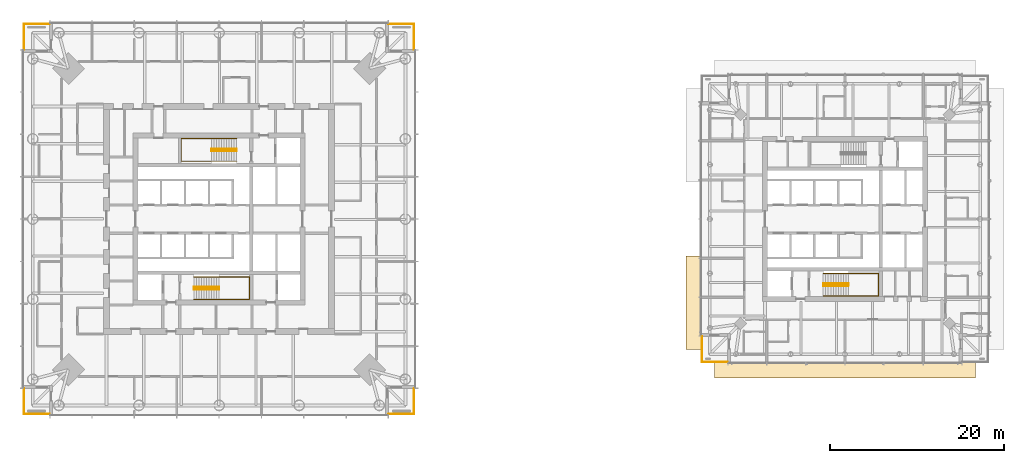
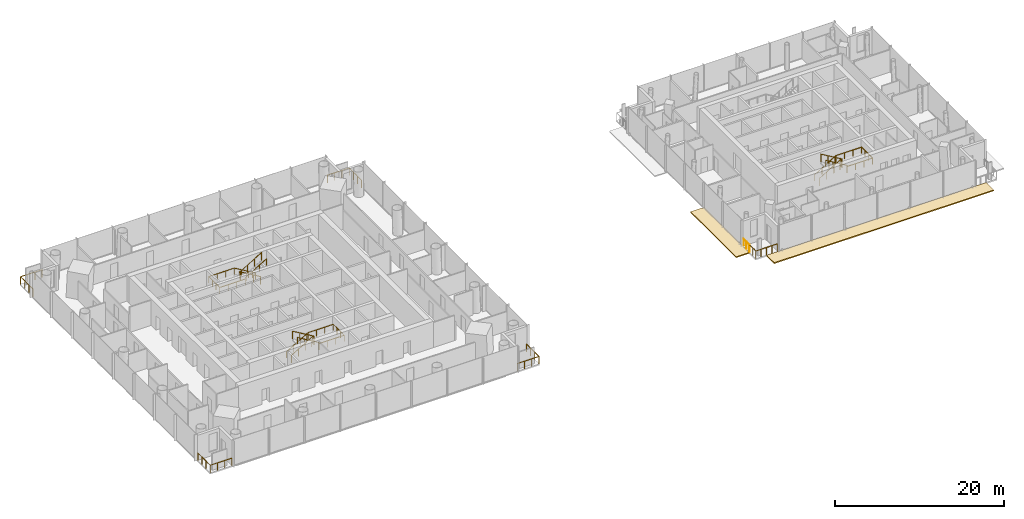
# One storey, part 19 of 20: 13 railings, 2 coverings.
"""IFC4 building model written with IfcOpenShell, lengths in metres."""

from ifc_helpers import new_model, si_unit, direction, frame, origin, origin_2d, place, context, subcontext, project, spatial, polyline, circle, outline, extrude, material, layer, layer_set, type_object, element, save


model = new_model("IFC4")

# Units and contexts
model_context = context("Model", 3, precision=1e-05, world=origin(), true_north=direction((0.0, 1.0)))
body_context = subcontext(model_context, "Body", "Model", "MODEL_VIEW")
ifc_project = project(units=[si_unit("LENGTHUNIT", "METRE"), si_unit("AREAUNIT", "SQUARE_METRE"), si_unit("VOLUMEUNIT", "CUBIC_METRE"), si_unit("PLANEANGLEUNIT", "RADIAN"), si_unit("MASSUNIT", "GRAM", prefix="KILO")], contexts=[model_context])

# Site, building, storey
site_placement = place(None, origin())
site = spatial("IfcSite", under=ifc_project, at=site_placement, CompositionType="ELEMENT")
building_placement = place(site_placement, origin())
building = spatial("IfcBuilding", under=site, at=building_placement, Name="Ostroluk Exchange", CompositionType="ELEMENT")
storey_placement = place(building_placement, frame((0.0, 0.0, 100.800048828125)))
storey = spatial("IfcBuildingStorey", under=building, at=storey_placement, Name="L25", CompositionType="ELEMENT", Elevation=100.800048828125)

# Railings
ifc_material_1 = material(Name="Stainless steel", Category="steel")
railing_type_1 = type_object("IfcRailingType", Name="Guard 1100 stainless steel", PredefinedType="GUARDRAIL", material=ifc_material_1)
railing_1_placement = place(storey_placement, frame((64.5, 23.550048828125, 0.0)))
element("IfcRailing", 1, at=railing_1_placement, inside=storey, type_object=railing_type_1, Name="Office tower SE balcony guard L25", PredefinedType="GUARDRAIL", context=body_context, shape_type="SweptSolid", body=[
    extrude(circle(Radius=0.02392578125, at=origin_2d()), frame((0.0, 0.0, 1.076171875), z_axis=(1.0, 0.0, 0.0), x_axis=(0.0, 1.0, 0.0)), (0.0, 0.0, 1.0), 2.949951171875),
    extrude(circle(Radius=0.02392578125, at=origin_2d()), frame((2.949951171875, 0.0, 1.076171875), z_axis=(0.0, 1.0, 0.0), x_axis=(-1.0, 0.0, 0.0)), (0.0, 0.0, 1.0), 2.949951171875),
    extrude(circle(Radius=0.02099609375, at=origin_2d()), origin(), (0.0, 0.0, 1.0), 1.052001953125),
    extrude(circle(Radius=0.02099609375, at=origin_2d()), frame((0.9833984375, 0.0, 0.0)), (0.0, 0.0, 1.0), 1.052001953125),
    extrude(circle(Radius=0.02099609375, at=origin_2d()), frame((1.966552734375, 0.0, 0.0)), (0.0, 0.0, 1.0), 1.052001953125),
    extrude(circle(Radius=0.02099609375, at=origin_2d()), frame((2.949951171875, 0.0, 0.0)), (0.0, 0.0, 1.0), 1.052001953125),
    extrude(circle(Radius=0.02099609375, at=origin_2d()), frame((2.949951171875, 0.9833984375, 0.0)), (0.0, 0.0, 1.0), 1.052001953125),
    extrude(circle(Radius=0.02099609375, at=origin_2d()), frame((2.949951171875, 1.966552734375, 0.0)), (0.0, 0.0, 1.0), 1.052001953125),
    extrude(circle(Radius=0.02099609375, at=origin_2d()), frame((2.949951171875, 2.949951171875, 0.0)), (0.0, 0.0, 1.0), 1.052001953125),
])
railing_2_placement = place(storey_placement, frame((64.5, 68.449951171875, 0.0)))
element("IfcRailing", 2, at=railing_2_placement, inside=storey, type_object=railing_type_1, Name="Office tower NE balcony guard L25", PredefinedType="GUARDRAIL", context=body_context, shape_type="SweptSolid", body=[
    extrude(circle(Radius=0.02392578125, at=origin_2d()), frame((0.0, 0.0, 1.076171875), z_axis=(1.0, 0.0, 0.0), x_axis=(0.0, 1.0, 0.0)), (0.0, 0.0, 1.0), 2.949951171875),
    extrude(circle(Radius=0.02392578125, at=origin_2d()), frame((2.949951171875, 0.0, 1.076171875), z_axis=(0.0, -1.0, 0.0), x_axis=(1.0, 0.0, 0.0)), (0.0, 0.0, 1.0), 2.949951171875),
    extrude(circle(Radius=0.02099609375, at=origin_2d()), origin(), (0.0, 0.0, 1.0), 1.052001953125),
    extrude(circle(Radius=0.02099609375, at=origin_2d()), frame((0.9833984375, 0.0, 0.0)), (0.0, 0.0, 1.0), 1.052001953125),
    extrude(circle(Radius=0.02099609375, at=origin_2d()), frame((1.966552734375, 0.0, 0.0)), (0.0, 0.0, 1.0), 1.052001953125),
    extrude(circle(Radius=0.02099609375, at=origin_2d()), frame((2.949951171875, 0.0, 0.0)), (0.0, 0.0, 1.0), 1.052001953125),
    extrude(circle(Radius=0.02099609375, at=origin_2d()), frame((2.949951171875, -0.9833984375, 0.0)), (0.0, 0.0, 1.0), 1.052001953125),
    extrude(circle(Radius=0.02099609375, at=origin_2d()), frame((2.949951171875, -1.966552734375, 0.0)), (0.0, 0.0, 1.0), 1.052001953125),
    extrude(circle(Radius=0.02099609375, at=origin_2d()), frame((2.949951171875, -2.949951171875, 0.0)), (0.0, 0.0, 1.0), 1.052001953125),
])
railing_3_placement = place(storey_placement, frame((25.5, 68.449951171875, 0.0)))
element("IfcRailing", 3, at=railing_3_placement, inside=storey, type_object=railing_type_1, Name="Office tower NW balcony guard L25", PredefinedType="GUARDRAIL", context=body_context, shape_type="SweptSolid", body=[
    extrude(circle(Radius=0.02392578125, at=origin_2d()), frame((0.0, 0.0, 1.076171875), z_axis=(-1.0, 0.0, 0.0), x_axis=(0.0, -1.0, 0.0)), (0.0, 0.0, 1.0), 2.949951171875),
    extrude(circle(Radius=0.02392578125, at=origin_2d()), frame((-2.949951171875, 0.0, 1.076171875), z_axis=(0.0, -1.0, 0.0), x_axis=(1.0, 0.0, 0.0)), (0.0, 0.0, 1.0), 2.949951171875),
    extrude(circle(Radius=0.02099609375, at=origin_2d()), origin(), (0.0, 0.0, 1.0), 1.052001953125),
    extrude(circle(Radius=0.02099609375, at=origin_2d()), frame((-0.9833984375, 0.0, 0.0)), (0.0, 0.0, 1.0), 1.052001953125),
    extrude(circle(Radius=0.02099609375, at=origin_2d()), frame((-1.966552734375, 0.0, 0.0)), (0.0, 0.0, 1.0), 1.052001953125),
    extrude(circle(Radius=0.02099609375, at=origin_2d()), frame((-2.949951171875, 0.0, 0.0)), (0.0, 0.0, 1.0), 1.052001953125),
    extrude(circle(Radius=0.02099609375, at=origin_2d()), frame((-2.949951171875, -0.9833984375, 0.0)), (0.0, 0.0, 1.0), 1.052001953125),
    extrude(circle(Radius=0.02099609375, at=origin_2d()), frame((-2.949951171875, -1.966552734375, 0.0)), (0.0, 0.0, 1.0), 1.052001953125),
    extrude(circle(Radius=0.02099609375, at=origin_2d()), frame((-2.949951171875, -2.949951171875, 0.0)), (0.0, 0.0, 1.0), 1.052001953125),
])
railing_4_placement = place(storey_placement, frame((25.5, 23.550048828125, 0.0)))
element("IfcRailing", 4, at=railing_4_placement, inside=storey, type_object=railing_type_1, Name="Office tower SW balcony guard L25", PredefinedType="GUARDRAIL", context=body_context, shape_type="SweptSolid", body=[
    extrude(circle(Radius=0.02392578125, at=origin_2d()), frame((0.0, 0.0, 1.076171875), z_axis=(-1.0, 0.0, 0.0), x_axis=(0.0, -1.0, 0.0)), (0.0, 0.0, 1.0), 2.949951171875),
    extrude(circle(Radius=0.02392578125, at=origin_2d()), frame((-2.949951171875, 0.0, 1.076171875), z_axis=(0.0, 1.0, 0.0), x_axis=(-1.0, 0.0, 0.0)), (0.0, 0.0, 1.0), 2.949951171875),
    extrude(circle(Radius=0.02099609375, at=origin_2d()), origin(), (0.0, 0.0, 1.0), 1.052001953125),
    extrude(circle(Radius=0.02099609375, at=origin_2d()), frame((-0.9833984375, 0.0, 0.0)), (0.0, 0.0, 1.0), 1.052001953125),
    extrude(circle(Radius=0.02099609375, at=origin_2d()), frame((-1.966552734375, 0.0, 0.0)), (0.0, 0.0, 1.0), 1.052001953125),
    extrude(circle(Radius=0.02099609375, at=origin_2d()), frame((-2.949951171875, 0.0, 0.0)), (0.0, 0.0, 1.0), 1.052001953125),
    extrude(circle(Radius=0.02099609375, at=origin_2d()), frame((-2.949951171875, 0.9833984375, 0.0)), (0.0, 0.0, 1.0), 1.052001953125),
    extrude(circle(Radius=0.02099609375, at=origin_2d()), frame((-2.949951171875, 1.966552734375, 0.0)), (0.0, 0.0, 1.0), 1.052001953125),
    extrude(circle(Radius=0.02099609375, at=origin_2d()), frame((-2.949951171875, 2.949951171875, 0.0)), (0.0, 0.0, 1.0), 1.052001953125),
])
railing_5_placement = place(storey_placement, frame((102.0, 29.550048828125, 0.0)))
element("IfcRailing", 5, at=railing_5_placement, inside=storey, type_object=railing_type_1, Name="Hotel tower SW balcony guard L25", PredefinedType="GUARDRAIL", context=body_context, shape_type="SweptSolid", body=[
    extrude(circle(Radius=0.02392578125, at=origin_2d()), frame((0.0, 0.0, 1.076171875), z_axis=(-1.0, 0.0, 0.0), x_axis=(0.0, -1.0, 0.0)), (0.0, 0.0, 1.0), 1.449951171875),
    extrude(circle(Radius=0.02392578125, at=origin_2d()), frame((-1.449951171875, 0.0, 1.076171875), z_axis=(0.0, 1.0, 0.0), x_axis=(-1.0, 0.0, 0.0)), (0.0, 0.0, 1.0), 1.449951171875),
    extrude(circle(Radius=0.02099609375, at=origin_2d()), origin(), (0.0, 0.0, 1.0), 1.052001953125),
    extrude(circle(Radius=0.02099609375, at=origin_2d()), frame((-0.72509765625, 0.0, 0.0)), (0.0, 0.0, 1.0), 1.052001953125),
    extrude(circle(Radius=0.02099609375, at=origin_2d()), frame((-1.449951171875, 0.0, 0.0)), (0.0, 0.0, 1.0), 1.052001953125),
    extrude(circle(Radius=0.02099609375, at=origin_2d()), frame((-1.449951171875, 0.72509765625, 0.0)), (0.0, 0.0, 1.0), 1.052001953125),
    extrude(circle(Radius=0.02099609375, at=origin_2d()), frame((-1.449951171875, 1.449951171875, 0.0)), (0.0, 0.0, 1.0), 1.052001953125),
])
ifc_material_2 = material(Name="Stainless steel", Category="steel")
railing_type_2 = type_object("IfcRailingType", Name="Lockable maintenance gate 1100", PredefinedType="GUARDRAIL", material=ifc_material_2)
railing_6_placement = place(storey_placement, frame((103.5, 29.550048828125, 0.0)))
element("IfcRailing", 6, at=railing_6_placement, inside=storey, type_object=railing_type_2, Name="Lockable maintenance gate T2 L25 SW", PredefinedType="GUARDRAIL", context=body_context, shape_type="SweptSolid", body=[
    extrude(circle(Radius=0.02392578125, at=origin_2d()), frame((0.0, 0.0, 1.076171875), z_axis=(-1.0, 0.0, 0.0), x_axis=(0.0, -1.0, 0.0)), (0.0, 0.0, 1.0), 1.5),
    extrude(circle(Radius=0.02099609375, at=origin_2d()), origin(), (0.0, 0.0, 1.0), 1.052001953125),
    extrude(circle(Radius=0.02099609375, at=origin_2d()), frame((-0.75, 0.0, 0.0)), (0.0, 0.0, 1.0), 1.052001953125),
    extrude(circle(Radius=0.02099609375, at=origin_2d()), frame((-1.5, 0.0, 0.0)), (0.0, 0.0, 1.0), 1.052001953125),
])
railing_7_placement = place(storey_placement, frame((100.550048828125, 31.0, 0.0)))
element("IfcRailing", 7, at=railing_7_placement, inside=storey, type_object=railing_type_2, Name="Lockable maintenance gate T2 L25 SW", PredefinedType="GUARDRAIL", context=body_context, shape_type="SweptSolid", body=[
    extrude(circle(Radius=0.02392578125, at=origin_2d()), frame((0.0, 0.0, 1.076171875), z_axis=(0.0, 1.0, 0.0), x_axis=(-1.0, 0.0, 0.0)), (0.0, 0.0, 1.0), 1.5),
    extrude(circle(Radius=0.02099609375, at=origin_2d()), origin(), (0.0, 0.0, 1.0), 1.052001953125),
    extrude(circle(Radius=0.02099609375, at=origin_2d()), frame((0.0, 0.75, 0.0)), (0.0, 0.0, 1.0), 1.052001953125),
    extrude(circle(Radius=0.02099609375, at=origin_2d()), frame((0.0, 1.5, 0.0)), (0.0, 0.0, 1.0), 1.052001953125),
])

# Coverings
ifc_material_3 = material(Name="Insulated steel roof deck with membrane, laid to falls, aluminium coping", Category="steel")
ifc_layer = layer(ifc_material_3, 0.14990234375)
ifc_layer_set = layer_set([ifc_layer], Name="Setback maintenance roof")
covering_type = type_object("IfcCoveringType", Name="Setback maintenance roof", PredefinedType="ROOFING", material=ifc_layer_set)
covering_1_placement = place(storey_placement, frame((0.0, 0.0, -0.150146484375)))
element("IfcCovering", 8, at=covering_1_placement, inside=storey, type_object=covering_type, Name="Maintenance roof, setback L25 south", PredefinedType="ROOFING", context=body_context, shape_type="SweptSolid", body=[
    extrude(outline(polyline([(102.0, 29.5), (132.0, 29.5), (132.0, 27.699951171875), (102.0, 27.699951171875), (102.0, 29.5)])), origin(), (0.0, 0.0, 1.0), 0.150146484375),
])
covering_2_placement = place(storey_placement, frame((0.0, 0.0, -0.150146484375)))
element("IfcCovering", 9, at=covering_2_placement, inside=storey, type_object=covering_type, Name="Maintenance roof, setback L25 west", PredefinedType="ROOFING", context=body_context, shape_type="SweptSolid", body=[
    extrude(outline(polyline([(98.699951171875, 41.75), (100.5, 41.75), (100.5, 31.0), (98.699951171875, 31.0), (98.699951171875, 41.75)])), origin(), (0.0, 0.0, 1.0), 0.150146484375),
])

# Railings
ifc_material_4 = material(Name="Steel S355", Category="steel")
railing_type_3 = type_object("IfcRailingType", Name="Stair guard 1100", PredefinedType="GUARDRAIL", material=ifc_material_4)
railing_8_placement = place(storey_placement, frame((42.10009765625, 38.179931640625, 0.172607421875)))
element("IfcRailing", 10, at=railing_8_placement, inside=storey, type_object=railing_type_3, Name="Stair T1-S1 guard L25", PredefinedType="GUARDRAIL", context=body_context, shape_type="SweptSolid", body=[
    extrude(circle(Radius=0.02392578125, at=origin_2d()), frame((0.0, 0.0, 1.076171875), z_axis=(0.859141464434, 0.0, 0.511738159696), x_axis=(0.0, 1.0, 0.0)), (0.0, 0.0, 1.0), 3.375244140625),
    extrude(circle(Radius=0.02392578125, at=origin_2d()), frame((2.89990234375, 0.0, 2.80322265625), z_axis=(0.0, -1.0, 0.0), x_axis=(1.0, 0.0, 0.0)), (0.0, 0.0, 1.0), 0.260009765625),
    extrude(circle(Radius=0.02392578125, at=origin_2d()), frame((2.89990234375, -0.260009765625, 2.80322265625), z_axis=(0.0, 0.0, 1.0), x_axis=(1.0, 0.0, 0.0)), (0.0, 0.0, 1.0), 0.1728515625),
    extrude(circle(Radius=0.02392578125, at=origin_2d()), frame((2.89990234375, -0.260009765625, 2.97607421875), z_axis=(-0.859141464434, 0.0, 0.511738159696), x_axis=(0.0, -1.0, 0.0)), (0.0, 0.0, 1.0), 3.375244140625),
    extrude(circle(Radius=0.02099609375, at=origin_2d()), origin(), (0.0, 0.0, 1.0), 1.052001953125),
    extrude(circle(Radius=0.02099609375, at=origin_2d()), frame((0.966552734375, 0.0, 0.57568359375)), (0.0, 0.0, 1.0), 1.052001953125),
    extrude(circle(Radius=0.02099609375, at=origin_2d()), frame((1.933349609375, 0.0, 1.151611328125)), (0.0, 0.0, 1.0), 1.052001953125),
    extrude(circle(Radius=0.02099609375, at=origin_2d()), frame((2.89990234375, 0.0, 1.727294921875)), (0.0, 0.0, 1.0), 1.052001953125),
    extrude(circle(Radius=0.02099609375, at=origin_2d()), frame((2.89990234375, -0.260009765625, 1.727294921875)), (0.0, 0.0, 1.0), 1.052001953125),
    extrude(circle(Radius=0.02099609375, at=origin_2d()), frame((2.89990234375, -0.260009765625, 1.900146484375)), (0.0, 0.0, 1.0), 1.052001953125),
    extrude(circle(Radius=0.02099609375, at=origin_2d()), frame((1.933349609375, -0.260009765625, 2.475830078125)), (0.0, 0.0, 1.0), 1.052001953125),
    extrude(circle(Radius=0.02099609375, at=origin_2d()), frame((0.966552734375, -0.260009765625, 3.0517578125)), (0.0, 0.0, 1.0), 1.052001953125),
    extrude(circle(Radius=0.02099609375, at=origin_2d()), frame((0.0, -0.260009765625, 3.62744140625)), (0.0, 0.0, 1.0), 1.052001953125),
])
railing_9_placement = place(storey_placement, frame((47.030029296875, 54.080078125, 0.172607421875)))
element("IfcRailing", 11, at=railing_9_placement, inside=storey, type_object=railing_type_3, Name="Stair T1-S2 guard L25", PredefinedType="GUARDRAIL", context=body_context, shape_type="SweptSolid", body=[
    extrude(circle(Radius=0.02392578125, at=origin_2d()), frame((0.0, 0.0, 1.076171875), z_axis=(-0.859160404282, 0.0, 0.51170636083), x_axis=(0.0, -1.0, 0.0)), (0.0, 0.0, 1.0), 3.37548828125),
    extrude(circle(Radius=0.02392578125, at=origin_2d()), frame((-2.900146484375, 0.0, 2.80322265625), z_axis=(0.0, -1.0, 0.0), x_axis=(1.0, 0.0, 0.0)), (0.0, 0.0, 1.0), 0.260009765625),
    extrude(circle(Radius=0.02392578125, at=origin_2d()), frame((-2.900146484375, -0.260009765625, 2.80322265625), z_axis=(0.0, 0.0, 1.0), x_axis=(1.0, 0.0, 0.0)), (0.0, 0.0, 1.0), 0.1728515625),
    extrude(circle(Radius=0.02392578125, at=origin_2d()), frame((-2.900146484375, -0.260009765625, 2.97607421875), z_axis=(0.859160404282, 0.0, 0.51170636083), x_axis=(0.0, 1.0, 0.0)), (0.0, 0.0, 1.0), 3.37548828125),
    extrude(circle(Radius=0.02099609375, at=origin_2d()), origin(), (0.0, 0.0, 1.0), 1.052001953125),
    extrude(circle(Radius=0.02099609375, at=origin_2d()), frame((-0.966796875, 0.0, 0.57568359375)), (0.0, 0.0, 1.0), 1.052001953125),
    extrude(circle(Radius=0.02099609375, at=origin_2d()), frame((-1.933349609375, 0.0, 1.151611328125)), (0.0, 0.0, 1.0), 1.052001953125),
    extrude(circle(Radius=0.02099609375, at=origin_2d()), frame((-2.900146484375, 0.0, 1.727294921875)), (0.0, 0.0, 1.0), 1.052001953125),
    extrude(circle(Radius=0.02099609375, at=origin_2d()), frame((-2.900146484375, -0.260009765625, 1.727294921875)), (0.0, 0.0, 1.0), 1.052001953125),
    extrude(circle(Radius=0.02099609375, at=origin_2d()), frame((-2.900146484375, -0.260009765625, 1.900146484375)), (0.0, 0.0, 1.0), 1.052001953125),
    extrude(circle(Radius=0.02099609375, at=origin_2d()), frame((-1.933349609375, -0.260009765625, 2.475830078125)), (0.0, 0.0, 1.0), 1.052001953125),
    extrude(circle(Radius=0.02099609375, at=origin_2d()), frame((-0.966796875, -0.260009765625, 3.0517578125)), (0.0, 0.0, 1.0), 1.052001953125),
    extrude(circle(Radius=0.02099609375, at=origin_2d()), frame((0.0, -0.260009765625, 3.62744140625)), (0.0, 0.0, 1.0), 1.052001953125),
])
railing_10_placement = place(storey_placement, frame((114.5, 38.580078125, 0.172607421875)))
element("IfcRailing", 12, at=railing_10_placement, inside=storey, type_object=railing_type_3, Name="Stair T2-S1 guard L25", PredefinedType="GUARDRAIL", context=body_context, shape_type="SweptSolid", body=[
    extrude(circle(Radius=0.02392578125, at=origin_2d()), frame((0.0, 0.0, 1.076171875), z_axis=(0.859141464434, 0.0, 0.511738159696), x_axis=(0.0, 1.0, 0.0)), (0.0, 0.0, 1.0), 3.375244140625),
    extrude(circle(Radius=0.02392578125, at=origin_2d()), frame((2.89990234375, 0.0, 2.80322265625), z_axis=(0.0, -1.0, 0.0), x_axis=(1.0, 0.0, 0.0)), (0.0, 0.0, 1.0), 0.260009765625),
    extrude(circle(Radius=0.02392578125, at=origin_2d()), frame((2.89990234375, -0.260009765625, 2.80322265625), z_axis=(0.0, 0.0, 1.0), x_axis=(1.0, 0.0, 0.0)), (0.0, 0.0, 1.0), 0.1728515625),
    extrude(circle(Radius=0.02392578125, at=origin_2d()), frame((2.89990234375, -0.260009765625, 2.97607421875), z_axis=(-0.859141464434, 0.0, 0.511738159696), x_axis=(0.0, -1.0, 0.0)), (0.0, 0.0, 1.0), 3.375244140625),
    extrude(circle(Radius=0.02099609375, at=origin_2d()), origin(), (0.0, 0.0, 1.0), 1.052001953125),
    extrude(circle(Radius=0.02099609375, at=origin_2d()), frame((0.966552734375, 0.0, 0.57568359375)), (0.0, 0.0, 1.0), 1.052001953125),
    extrude(circle(Radius=0.02099609375, at=origin_2d()), frame((1.933349609375, 0.0, 1.151611328125)), (0.0, 0.0, 1.0), 1.052001953125),
    extrude(circle(Radius=0.02099609375, at=origin_2d()), frame((2.89990234375, 0.0, 1.727294921875)), (0.0, 0.0, 1.0), 1.052001953125),
    extrude(circle(Radius=0.02099609375, at=origin_2d()), frame((2.89990234375, -0.260009765625, 1.727294921875)), (0.0, 0.0, 1.0), 1.052001953125),
    extrude(circle(Radius=0.02099609375, at=origin_2d()), frame((2.89990234375, -0.260009765625, 1.900146484375)), (0.0, 0.0, 1.0), 1.052001953125),
    extrude(circle(Radius=0.02099609375, at=origin_2d()), frame((1.933349609375, -0.260009765625, 2.475830078125)), (0.0, 0.0, 1.0), 1.052001953125),
    extrude(circle(Radius=0.02099609375, at=origin_2d()), frame((0.966552734375, -0.260009765625, 3.0517578125)), (0.0, 0.0, 1.0), 1.052001953125),
    extrude(circle(Radius=0.02099609375, at=origin_2d()), frame((0.0, -0.260009765625, 3.62744140625)), (0.0, 0.0, 1.0), 1.052001953125),
])
ifc_material_5 = material(Name="Stainless steel", Category="steel")
railing_type_4 = type_object("IfcRailingType", Name="Stair handrail 900", PredefinedType="HANDRAIL", material=ifc_material_5)
railing_11_placement = place(storey_placement, frame((42.10009765625, 39.35009765625, 0.172607421875)))
element("IfcRailing", 13, at=railing_11_placement, inside=storey, type_object=railing_type_4, Name="Stair T1-S1 handrail L25", PredefinedType="HANDRAIL", context=body_context, shape_type="SweptSolid", body=[
    extrude(circle(Radius=0.02392578125, at=origin_2d()), frame((0.0, 0.0, 0.8759765625), z_axis=(0.859141464434, 0.0, 0.511738159696), x_axis=(0.0, 1.0, 0.0)), (0.0, 0.0, 1.0), 3.375244140625),
    extrude(circle(Radius=0.02392578125, at=origin_2d()), frame((2.89990234375, 0.0, 2.60302734375), z_axis=(1.0, 0.0, 0.0), x_axis=(0.0, 1.0, 0.0)), (0.0, 0.0, 1.0), 3.47998046875),
    extrude(circle(Radius=0.02392578125, at=origin_2d()), frame((6.3798828125, 0.0, 2.60302734375), z_axis=(0.0, -1.0, 0.0), x_axis=(1.0, 0.0, 0.0)), (0.0, 0.0, 1.0), 2.60009765625),
    extrude(circle(Radius=0.02392578125, at=origin_2d()), frame((6.3798828125, -2.60009765625, 2.60302734375), z_axis=(-1.0, 0.0, 0.0), x_axis=(0.0, -1.0, 0.0)), (0.0, 0.0, 1.0), 3.47998046875),
    extrude(circle(Radius=0.02392578125, at=origin_2d()), frame((2.89990234375, -2.60009765625, 2.60302734375), z_axis=(0.0, 0.0, 1.0), x_axis=(1.0, 0.0, 0.0)), (0.0, 0.0, 1.0), 0.1728515625),
    extrude(circle(Radius=0.02392578125, at=origin_2d()), frame((2.89990234375, -2.60009765625, 2.77587890625), z_axis=(-0.859141464434, 0.0, 0.511738159696), x_axis=(0.0, -1.0, 0.0)), (0.0, 0.0, 1.0), 3.375244140625),
    extrude(circle(Radius=0.02099609375, at=origin_2d()), origin(), (0.0, 0.0, 1.0), 0.851806640625),
    extrude(circle(Radius=0.02099609375, at=origin_2d()), frame((0.966552734375, 0.0, 0.57568359375)), (0.0, 0.0, 1.0), 0.851806640625),
    extrude(circle(Radius=0.02099609375, at=origin_2d()), frame((1.933349609375, 0.0, 1.151611328125)), (0.0, 0.0, 1.0), 0.851806640625),
    extrude(circle(Radius=0.02099609375, at=origin_2d()), frame((2.89990234375, 0.0, 1.727294921875)), (0.0, 0.0, 1.0), 0.851806640625),
    extrude(circle(Radius=0.02099609375, at=origin_2d()), frame((4.059814453125, 0.0, 1.727294921875)), (0.0, 0.0, 1.0), 0.851806640625),
    extrude(circle(Radius=0.02099609375, at=origin_2d()), frame((5.219970703125, 0.0, 1.727294921875)), (0.0, 0.0, 1.0), 0.851806640625),
    extrude(circle(Radius=0.02099609375, at=origin_2d()), frame((6.3798828125, 0.0, 1.727294921875)), (0.0, 0.0, 1.0), 0.851806640625),
    extrude(circle(Radius=0.02099609375, at=origin_2d()), frame((6.3798828125, -0.86669921875, 1.727294921875)), (0.0, 0.0, 1.0), 0.851806640625),
    extrude(circle(Radius=0.02099609375, at=origin_2d()), frame((6.3798828125, -1.7333984375, 1.727294921875)), (0.0, 0.0, 1.0), 0.851806640625),
    extrude(circle(Radius=0.02099609375, at=origin_2d()), frame((6.3798828125, -2.60009765625, 1.727294921875)), (0.0, 0.0, 1.0), 0.851806640625),
    extrude(circle(Radius=0.02099609375, at=origin_2d()), frame((5.219970703125, -2.60009765625, 1.727294921875)), (0.0, 0.0, 1.0), 0.851806640625),
    extrude(circle(Radius=0.02099609375, at=origin_2d()), frame((4.059814453125, -2.60009765625, 1.727294921875)), (0.0, 0.0, 1.0), 0.851806640625),
    extrude(circle(Radius=0.02099609375, at=origin_2d()), frame((2.89990234375, -2.60009765625, 1.727294921875)), (0.0, 0.0, 1.0), 0.851806640625),
    extrude(circle(Radius=0.02099609375, at=origin_2d()), frame((2.89990234375, -2.60009765625, 1.900146484375)), (0.0, 0.0, 1.0), 0.851806640625),
    extrude(circle(Radius=0.02099609375, at=origin_2d()), frame((1.933349609375, -2.60009765625, 2.475830078125)), (0.0, 0.0, 1.0), 0.851806640625),
    extrude(circle(Radius=0.02099609375, at=origin_2d()), frame((0.966552734375, -2.60009765625, 3.0517578125)), (0.0, 0.0, 1.0), 0.851806640625),
    extrude(circle(Radius=0.02099609375, at=origin_2d()), frame((0.0, -2.60009765625, 3.62744140625)), (0.0, 0.0, 1.0), 0.851806640625),
])
railing_12_placement = place(storey_placement, frame((47.030029296875, 55.25, 0.172607421875)))
element("IfcRailing", 14, at=railing_12_placement, inside=storey, type_object=railing_type_4, Name="Stair T1-S2 handrail L25", PredefinedType="HANDRAIL", context=body_context, shape_type="SweptSolid", body=[
    extrude(circle(Radius=0.02392578125, at=origin_2d()), frame((0.0, 0.0, 0.8759765625), z_axis=(-0.859160404282, 0.0, 0.51170636083), x_axis=(0.0, -1.0, 0.0)), (0.0, 0.0, 1.0), 3.37548828125),
    extrude(circle(Radius=0.02392578125, at=origin_2d()), frame((-2.900146484375, 0.0, 2.60302734375), z_axis=(-1.0, 0.0, 0.0), x_axis=(0.0, -1.0, 0.0)), (0.0, 0.0, 1.0), 3.47998046875),
    extrude(circle(Radius=0.02392578125, at=origin_2d()), frame((-6.380126953125, 0.0, 2.60302734375), z_axis=(0.0, -1.0, 0.0), x_axis=(1.0, 0.0, 0.0)), (0.0, 0.0, 1.0), 2.60009765625),
    extrude(circle(Radius=0.02392578125, at=origin_2d()), frame((-6.380126953125, -2.60009765625, 2.60302734375), z_axis=(1.0, 0.0, 0.0), x_axis=(0.0, 1.0, 0.0)), (0.0, 0.0, 1.0), 3.47998046875),
    extrude(circle(Radius=0.02392578125, at=origin_2d()), frame((-2.900146484375, -2.60009765625, 2.60302734375), z_axis=(0.0, 0.0, 1.0), x_axis=(1.0, 0.0, 0.0)), (0.0, 0.0, 1.0), 0.1728515625),
    extrude(circle(Radius=0.02392578125, at=origin_2d()), frame((-2.900146484375, -2.60009765625, 2.77587890625), z_axis=(0.859160404282, 0.0, 0.51170636083), x_axis=(0.0, 1.0, 0.0)), (0.0, 0.0, 1.0), 3.37548828125),
    extrude(circle(Radius=0.02099609375, at=origin_2d()), origin(), (0.0, 0.0, 1.0), 0.851806640625),
    extrude(circle(Radius=0.02099609375, at=origin_2d()), frame((-0.966796875, 0.0, 0.57568359375)), (0.0, 0.0, 1.0), 0.851806640625),
    extrude(circle(Radius=0.02099609375, at=origin_2d()), frame((-1.933349609375, 0.0, 1.151611328125)), (0.0, 0.0, 1.0), 0.851806640625),
    extrude(circle(Radius=0.02099609375, at=origin_2d()), frame((-2.900146484375, 0.0, 1.727294921875)), (0.0, 0.0, 1.0), 0.851806640625),
    extrude(circle(Radius=0.02099609375, at=origin_2d()), frame((-4.06005859375, 0.0, 1.727294921875)), (0.0, 0.0, 1.0), 0.851806640625),
    extrude(circle(Radius=0.02099609375, at=origin_2d()), frame((-5.22021484375, 0.0, 1.727294921875)), (0.0, 0.0, 1.0), 0.851806640625),
    extrude(circle(Radius=0.02099609375, at=origin_2d()), frame((-6.380126953125, 0.0, 1.727294921875)), (0.0, 0.0, 1.0), 0.851806640625),
    extrude(circle(Radius=0.02099609375, at=origin_2d()), frame((-6.380126953125, -0.86669921875, 1.727294921875)), (0.0, 0.0, 1.0), 0.851806640625),
    extrude(circle(Radius=0.02099609375, at=origin_2d()), frame((-6.380126953125, -1.7333984375, 1.727294921875)), (0.0, 0.0, 1.0), 0.851806640625),
    extrude(circle(Radius=0.02099609375, at=origin_2d()), frame((-6.380126953125, -2.60009765625, 1.727294921875)), (0.0, 0.0, 1.0), 0.851806640625),
    extrude(circle(Radius=0.02099609375, at=origin_2d()), frame((-5.22021484375, -2.60009765625, 1.727294921875)), (0.0, 0.0, 1.0), 0.851806640625),
    extrude(circle(Radius=0.02099609375, at=origin_2d()), frame((-4.06005859375, -2.60009765625, 1.727294921875)), (0.0, 0.0, 1.0), 0.851806640625),
    extrude(circle(Radius=0.02099609375, at=origin_2d()), frame((-2.900146484375, -2.60009765625, 1.727294921875)), (0.0, 0.0, 1.0), 0.851806640625),
    extrude(circle(Radius=0.02099609375, at=origin_2d()), frame((-2.900146484375, -2.60009765625, 1.900146484375)), (0.0, 0.0, 1.0), 0.851806640625),
    extrude(circle(Radius=0.02099609375, at=origin_2d()), frame((-1.933349609375, -2.60009765625, 2.475830078125)), (0.0, 0.0, 1.0), 0.851806640625),
    extrude(circle(Radius=0.02099609375, at=origin_2d()), frame((-0.966796875, -2.60009765625, 3.0517578125)), (0.0, 0.0, 1.0), 0.851806640625),
    extrude(circle(Radius=0.02099609375, at=origin_2d()), frame((0.0, -2.60009765625, 3.62744140625)), (0.0, 0.0, 1.0), 0.851806640625),
])
railing_13_placement = place(storey_placement, frame((114.5, 39.75, 0.172607421875)))
element("IfcRailing", 15, at=railing_13_placement, inside=storey, type_object=railing_type_4, Name="Stair T2-S1 handrail L25", PredefinedType="HANDRAIL", context=body_context, shape_type="SweptSolid", body=[
    extrude(circle(Radius=0.02392578125, at=origin_2d()), frame((0.0, 0.0, 0.8759765625), z_axis=(0.859141464434, 0.0, 0.511738159696), x_axis=(0.0, 1.0, 0.0)), (0.0, 0.0, 1.0), 3.375244140625),
    extrude(circle(Radius=0.02392578125, at=origin_2d()), frame((2.89990234375, 0.0, 2.60302734375), z_axis=(1.0, 0.0, 0.0), x_axis=(0.0, 1.0, 0.0)), (0.0, 0.0, 1.0), 3.47998046875),
    extrude(circle(Radius=0.02392578125, at=origin_2d()), frame((6.3798828125, 0.0, 2.60302734375), z_axis=(0.0, -1.0, 0.0), x_axis=(1.0, 0.0, 0.0)), (0.0, 0.0, 1.0), 2.60009765625),
    extrude(circle(Radius=0.02392578125, at=origin_2d()), frame((6.3798828125, -2.60009765625, 2.60302734375), z_axis=(-1.0, 0.0, 0.0), x_axis=(0.0, -1.0, 0.0)), (0.0, 0.0, 1.0), 3.47998046875),
    extrude(circle(Radius=0.02392578125, at=origin_2d()), frame((2.89990234375, -2.60009765625, 2.60302734375), z_axis=(0.0, 0.0, 1.0), x_axis=(1.0, 0.0, 0.0)), (0.0, 0.0, 1.0), 0.1728515625),
    extrude(circle(Radius=0.02392578125, at=origin_2d()), frame((2.89990234375, -2.60009765625, 2.77587890625), z_axis=(-0.859141464434, 0.0, 0.511738159696), x_axis=(0.0, -1.0, 0.0)), (0.0, 0.0, 1.0), 3.375244140625),
    extrude(circle(Radius=0.02099609375, at=origin_2d()), origin(), (0.0, 0.0, 1.0), 0.851806640625),
    extrude(circle(Radius=0.02099609375, at=origin_2d()), frame((0.966552734375, 0.0, 0.57568359375)), (0.0, 0.0, 1.0), 0.851806640625),
    extrude(circle(Radius=0.02099609375, at=origin_2d()), frame((1.933349609375, 0.0, 1.151611328125)), (0.0, 0.0, 1.0), 0.851806640625),
    extrude(circle(Radius=0.02099609375, at=origin_2d()), frame((2.89990234375, 0.0, 1.727294921875)), (0.0, 0.0, 1.0), 0.851806640625),
    extrude(circle(Radius=0.02099609375, at=origin_2d()), frame((4.059814453125, 0.0, 1.727294921875)), (0.0, 0.0, 1.0), 0.851806640625),
    extrude(circle(Radius=0.02099609375, at=origin_2d()), frame((5.219970703125, 0.0, 1.727294921875)), (0.0, 0.0, 1.0), 0.851806640625),
    extrude(circle(Radius=0.02099609375, at=origin_2d()), frame((6.3798828125, 0.0, 1.727294921875)), (0.0, 0.0, 1.0), 0.851806640625),
    extrude(circle(Radius=0.02099609375, at=origin_2d()), frame((6.3798828125, -0.86669921875, 1.727294921875)), (0.0, 0.0, 1.0), 0.851806640625),
    extrude(circle(Radius=0.02099609375, at=origin_2d()), frame((6.3798828125, -1.7333984375, 1.727294921875)), (0.0, 0.0, 1.0), 0.851806640625),
    extrude(circle(Radius=0.02099609375, at=origin_2d()), frame((6.3798828125, -2.60009765625, 1.727294921875)), (0.0, 0.0, 1.0), 0.851806640625),
    extrude(circle(Radius=0.02099609375, at=origin_2d()), frame((5.219970703125, -2.60009765625, 1.727294921875)), (0.0, 0.0, 1.0), 0.851806640625),
    extrude(circle(Radius=0.02099609375, at=origin_2d()), frame((4.059814453125, -2.60009765625, 1.727294921875)), (0.0, 0.0, 1.0), 0.851806640625),
    extrude(circle(Radius=0.02099609375, at=origin_2d()), frame((2.89990234375, -2.60009765625, 1.727294921875)), (0.0, 0.0, 1.0), 0.851806640625),
    extrude(circle(Radius=0.02099609375, at=origin_2d()), frame((2.89990234375, -2.60009765625, 1.900146484375)), (0.0, 0.0, 1.0), 0.851806640625),
    extrude(circle(Radius=0.02099609375, at=origin_2d()), frame((1.933349609375, -2.60009765625, 2.475830078125)), (0.0, 0.0, 1.0), 0.851806640625),
    extrude(circle(Radius=0.02099609375, at=origin_2d()), frame((0.966552734375, -2.60009765625, 3.0517578125)), (0.0, 0.0, 1.0), 0.851806640625),
    extrude(circle(Radius=0.02099609375, at=origin_2d()), frame((0.0, -2.60009765625, 3.62744140625)), (0.0, 0.0, 1.0), 0.851806640625),
])

save(model, "model.ifc")
